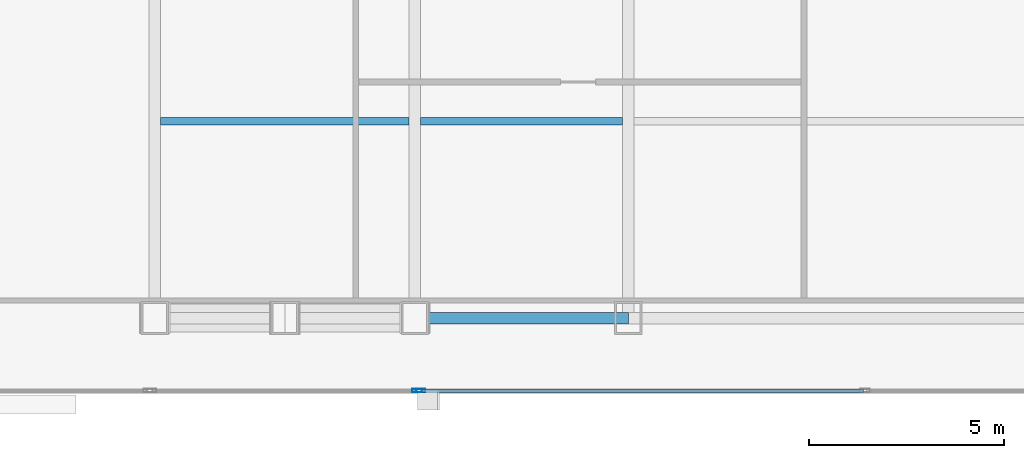
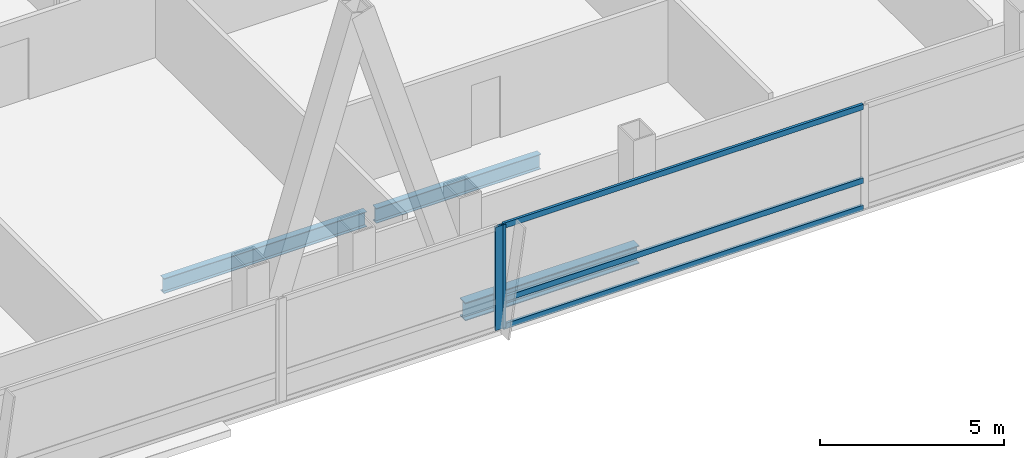
# One storey, part 8 of 30: 5 members, 3 beams, 2 elements without a shape of their own.
"""IFC4 building model written with IfcOpenShell, lengths in metres."""

from ifc_helpers import new_model, si_unit, direction, frame, origin, origin_2d, place, context, subcontext, project, spatial, hollow_rectangle, i_section, extrude, material, material_profile, profile_set, type_object, element, aggregate, save


model = new_model("IFC4")

# Units and contexts
model_context = context("Model", 3, precision=1e-05, world=origin(), true_north=direction((0.0, 1.0)))
body_context = subcontext(model_context, "Body", "Model", "MODEL_VIEW")
ifc_project = project(units=[si_unit("LENGTHUNIT", "METRE"), si_unit("AREAUNIT", "SQUARE_METRE"), si_unit("VOLUMEUNIT", "CUBIC_METRE"), si_unit("PLANEANGLEUNIT", "RADIAN"), si_unit("MASSUNIT", "GRAM", prefix="KILO")], contexts=[model_context])

# Site, building, storey
site_placement = place(None, origin())
site = spatial("IfcSite", under=ifc_project, at=site_placement, CompositionType="ELEMENT")
building_placement = place(site_placement, origin())
building = spatial("IfcBuilding", under=site, at=building_placement, Name="Khoronbel Lancet Exchange", CompositionType="ELEMENT")
storey_placement = place(building_placement, frame((0.0, 0.0, 136.199951171875)))
storey = spatial("IfcBuildingStorey", under=building, at=storey_placement, Name="L33", CompositionType="ELEMENT", Elevation=136.199951171875)

# Beams
ifc_material_1 = material(Name="Steel S355", Category="steel")
ifc_material_profile_1 = material_profile(ifc_material_1, i_section(OverallWidth=0.199951171875, OverallDepth=0.5, WebThickness=0.01025390625, FlangeThickness=0.01611328125, at=origin_2d()), Name="IPE 500")
ifc_profile_set_1 = profile_set([ifc_material_profile_1], Name="Steel S355")
beam_type_1 = type_object("IfcBeamType", Name="BM-BJ3", PredefinedType="JOIST", material=ifc_profile_set_1)
beam_1_placement = place(storey_placement, frame((18.375, 15.199951171875, -0.409912109375), z_axis=(1.0, 0.0, 0.0), x_axis=(0.0, 1.0, 0.0)))
element("IfcBeam", 1, at=beam_1_placement, inside=storey, type_object=beam_type_1, Name="Level L33 secondary composite joist J01", PredefinedType="JOIST", context=body_context, shape_type="SweptSolid", body=[
    extrude(i_section(OverallWidth=0.199951171875, OverallDepth=0.5, WebThickness=0.01025390625, FlangeThickness=0.01611328125, at=origin_2d()), origin(), (0.0, 0.0, 1.0), 6.375),
])
beam_2_placement = place(storey_placement, frame((25.050048828125, 15.199951171875, -0.409912109375), z_axis=(1.0, 0.0, 0.0), x_axis=(0.0, 1.0, 0.0)))
element("IfcBeam", 2, at=beam_2_placement, inside=storey, type_object=beam_type_1, Name="Level L33 secondary composite joist J02", PredefinedType="JOIST", context=body_context, shape_type="SweptSolid", body=[
    extrude(i_section(OverallWidth=0.199951171875, OverallDepth=0.5, WebThickness=0.01025390625, FlangeThickness=0.01611328125, at=origin_2d()), origin(), (0.0, 0.0, 1.0), 5.175048828125),
])
ifc_material_profile_2 = material_profile(ifc_material_1, i_section(OverallWidth=0.300048828125, OverallDepth=0.60009765625, WebThickness=0.015380859375, FlangeThickness=0.030029296875, at=origin_2d()), Name="HEB 600")
ifc_profile_set_2 = profile_set([ifc_material_profile_2], Name="Steel S355")
beam_type_2 = type_object("IfcBeamType", Name="BM-BSP2", PredefinedType="SPANDREL", material=ifc_profile_set_2)
beam_3_placement = place(storey_placement, frame((24.89990234375, 10.14990234375, -0.4599609375), z_axis=(1.0, 0.0, 0.0), x_axis=(0.0, 1.0, 0.0)))
element("IfcBeam", 3, at=beam_3_placement, inside=storey, type_object=beam_type_2, Name="Level L33 perimeter spandrel beam SP03", PredefinedType="SPANDREL", context=body_context, shape_type="SweptSolid", body=[
    extrude(i_section(OverallWidth=0.300048828125, OverallDepth=0.60009765625, WebThickness=0.015380859375, FlangeThickness=0.030029296875, at=origin_2d()), origin(), (0.0, 0.0, 1.0), 5.47509765625),
])

# Curtain wall, member
ifc_material_2 = material(Name="Low-E Solar Control Insulating Glass", Category="glass")
curtain_wall_type = type_object("IfcCurtainWallType", Name="CW-3", PredefinedType="NOTDEFINED", material=ifc_material_2)
curtain_wall_1_placement = place(storey_placement, origin())
curtain_wall_1 = element("IfcCurtainWall", 4, at=curtain_wall_1_placement, inside=storey, type_object=curtain_wall_type, Name="Unitised curtain wall CW-L33-SWB", PredefinedType="NOTDEFINED")
ifc_material_3 = material(Name="Bronze-Anodised Aluminium 6063-T6", Category="aluminium")
ifc_material_profile_3 = material_profile(ifc_material_3, hollow_rectangle(XDim=0.0849609375, YDim=0.239990234375, WallThickness=0.006103515625, at=origin_2d()), Name="ALU MULLION 85x240")
ifc_profile_set_3 = profile_set([ifc_material_profile_3], Name="Bronze-Anodised Aluminium 6063-T6")
member_type_1 = type_object("IfcMemberType", Name="MEM-CWM1", PredefinedType="MULLION", material=ifc_profile_set_3)
member_1_placement = place(storey_placement, frame((24.95751953125, 8.2900390625, 0.0), z_axis=(0.0, 0.0, 1.0), x_axis=(0.0, 1.0, 0.0)))
member_1 = element("IfcMember", 5, at=member_1_placement, type_object=member_type_1, Name="CW3 mullion 2", PredefinedType="MULLION", context=body_context, shape_type="SweptSolid", body=[
    extrude(hollow_rectangle(XDim=0.0849609375, YDim=0.239990234375, WallThickness=0.006103515625, at=origin_2d()), origin(), (0.0, 0.0, 1.0), 3.43994140625),
])
aggregate(curtain_wall_1, [member_1])

# Curtain wall, members
curtain_wall_2_placement = place(storey_placement, origin())
curtain_wall_2 = element("IfcCurtainWall", 6, at=curtain_wall_2_placement, inside=storey, type_object=curtain_wall_type, Name="Unitised curtain wall CW-L33-SCV", PredefinedType="NOTDEFINED")
member_2_placement = place(storey_placement, frame((25.04248046875, 8.2900390625, 0.0), z_axis=(0.0, 0.0, 1.0), x_axis=(0.0, 1.0, 0.0)))
member_2 = element("IfcMember", 7, at=member_2_placement, type_object=member_type_1, Name="CW3 mullion 1", PredefinedType="MULLION", context=body_context, shape_type="SweptSolid", body=[
    extrude(hollow_rectangle(XDim=0.0849609375, YDim=0.239990234375, WallThickness=0.006103515625, at=origin_2d()), origin(), (0.0, 0.0, 1.0), 3.43994140625),
])
ifc_material_profile_4 = material_profile(ifc_material_3, hollow_rectangle(XDim=0.0849609375, YDim=0.179931640625, WallThickness=0.0048828125, at=origin_2d()), Name="ALU TRANSOM 85x180")
ifc_profile_set_4 = profile_set([ifc_material_profile_4], Name="Bronze-Anodised Aluminium 6063-T6")
member_type_2 = type_object("IfcMemberType", Name="MEM-CWT1", PredefinedType="USERDEFINED", material=ifc_profile_set_4)
member_3_placement = place(storey_placement, frame((25.0849609375, 8.2900390625, 0.04248046875), z_axis=(1.0, 0.0, 0.0), x_axis=(0.0, 1.0, 0.0)))
member_3 = element("IfcMember", 8, at=member_3_placement, type_object=member_type_2, Name="CW3 transom 1.1", ObjectType="TRANSOM", PredefinedType="USERDEFINED", context=body_context, shape_type="SweptSolid", body=[
    extrude(hollow_rectangle(XDim=0.0849609375, YDim=0.179931640625, WallThickness=0.0048828125, at=origin_2d()), origin(), (0.0, 0.0, 1.0), 11.322509765625),
])
member_4_placement = place(storey_placement, frame((25.0849609375, 8.2900390625, 0.949951171875), z_axis=(1.0, 0.0, 0.0), x_axis=(0.0, 1.0, 0.0)))
member_4 = element("IfcMember", 9, at=member_4_placement, type_object=member_type_2, Name="CW3 transom 1.2", ObjectType="TRANSOM", PredefinedType="USERDEFINED", context=body_context, shape_type="SweptSolid", body=[
    extrude(hollow_rectangle(XDim=0.0849609375, YDim=0.179931640625, WallThickness=0.0048828125, at=origin_2d()), origin(), (0.0, 0.0, 1.0), 11.322509765625),
])
member_5_placement = place(storey_placement, frame((25.0849609375, 8.2900390625, 3.3974609375), z_axis=(1.0, 0.0, 0.0), x_axis=(0.0, 1.0, 0.0)))
member_5 = element("IfcMember", 10, at=member_5_placement, type_object=member_type_2, Name="CW3 transom 1.3", ObjectType="TRANSOM", PredefinedType="USERDEFINED", context=body_context, shape_type="SweptSolid", body=[
    extrude(hollow_rectangle(XDim=0.0849609375, YDim=0.179931640625, WallThickness=0.0048828125, at=origin_2d()), origin(), (0.0, 0.0, 1.0), 11.322509765625),
])
aggregate(curtain_wall_2, [member_2, member_3, member_4, member_5])

save(model, "model.ifc")
